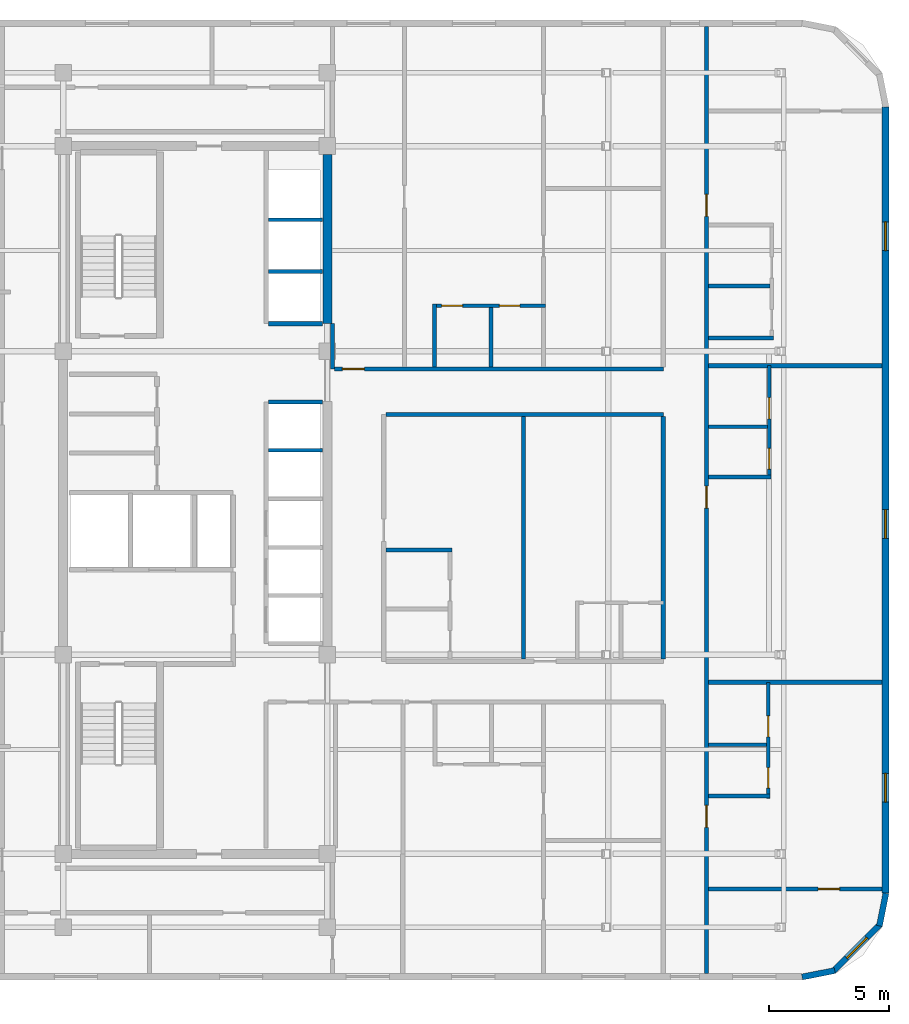
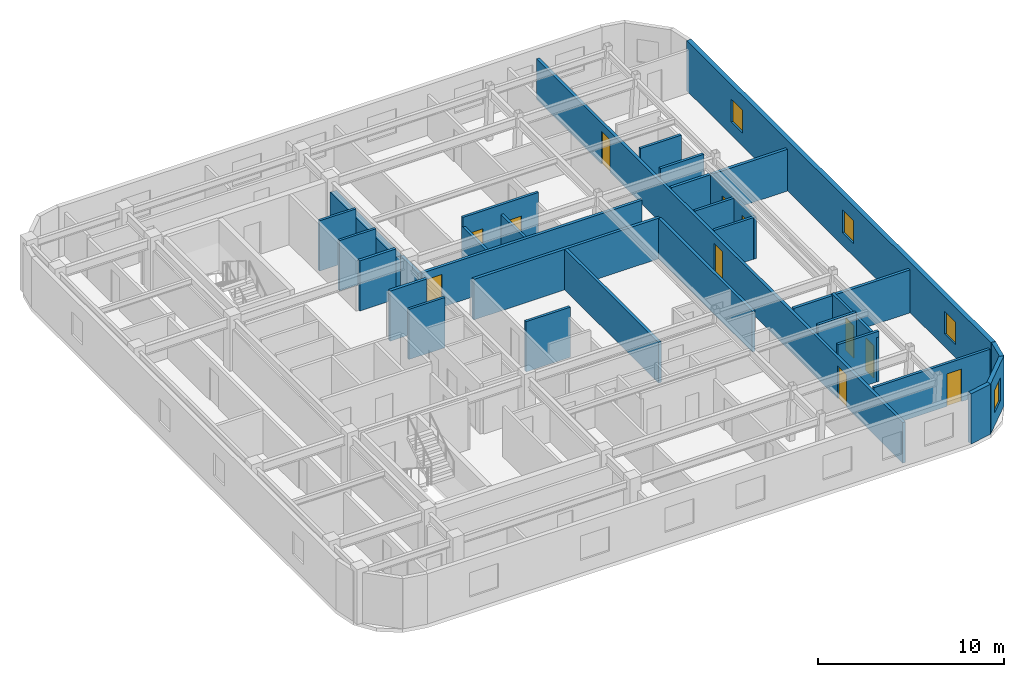
# One storey, part 5 of 8: 31 walls, 11 doors, 4 windows, 15 openings.
"""IFC4 building model written with IfcOpenShell, lengths in metres."""

from ifc_helpers import new_model, si_unit, direction, frame, frame_2d, origin, place, context, subcontext, project, spatial, rectangle, extrude, material, layer, layer_set, type_object, element, fill, save


model = new_model("IFC4")

# Units and contexts
model_context = context("Model", 3, precision=1e-05, world=origin(), true_north=direction((0.0, 1.0)))
body_context = subcontext(model_context, "Body", "Model", "MODEL_VIEW")
ifc_project = project(units=[si_unit("LENGTHUNIT", "METRE"), si_unit("AREAUNIT", "SQUARE_METRE"), si_unit("VOLUMEUNIT", "CUBIC_METRE"), si_unit("PLANEANGLEUNIT", "RADIAN"), si_unit("MASSUNIT", "GRAM", prefix="KILO")], contexts=[model_context])

# Site, building, storey
site_placement = place(None, origin())
site = spatial("IfcSite", under=ifc_project, at=site_placement, CompositionType="ELEMENT")
building_placement = place(site_placement, origin())
building = spatial("IfcBuilding", under=site, at=building_placement, Name="Ochreholt Gables", CompositionType="ELEMENT")
storey_placement = place(building_placement, frame((0.0, 0.0, 196.199951171875)))
storey = spatial("IfcBuildingStorey", under=building, at=storey_placement, Name="L51", CompositionType="ELEMENT", Elevation=196.199951171875)

# Wall
ifc_material_1 = material(Name="Concrete 50 MPa", Category="concrete")
ifc_layer_1 = layer(ifc_material_1, 0.3798828125, Name="Concrete 50 MPa")
ifc_layer_set_1 = layer_set([ifc_layer_1], Name="Concrete 50 MPa")
wall_type_1 = type_object("IfcWallType", Name="WALL-CSW-380", PredefinedType="SHEAR", material=ifc_layer_set_1)
wall_1_placement = place(storey_placement, frame((35.2099609375, 31.35009765625, 0.0), z_axis=(0.0, 0.0, 1.0), x_axis=(0.0, 1.0, 0.0)))
element("IfcWall", 1, at=wall_1_placement, inside=storey, type_object=wall_type_1, Name="L51 Core North-East Shear Wall", PredefinedType="SHEAR", context=body_context, shape_type="SweptSolid", body=[
    extrude(rectangle(XDim=7.0498046875, YDim=0.3798828125, at=frame_2d((3.52490234375, 0.0))), origin(), (0.0, 0.0, 1.0), 2.68798828125),
])

# Wall, openings, windows
ifc_material_2 = material(Name="Precast concrete 40 MPa", Category="concrete")
ifc_layer_2 = layer(ifc_material_2, 0.280029296875, Name="Precast concrete 40 MPa")
ifc_layer_set_2 = layer_set([ifc_layer_2], Name="Precast concrete 40 MPa")
wall_type_2 = type_object("IfcWallType", Name="WALL-EXT-280", PredefinedType="SOLIDWALL", material=ifc_layer_set_2)
wall_2_placement = place(storey_placement, frame((58.4599609375, 7.6201171875, 0.0), z_axis=(0.0, 0.0, 1.0), x_axis=(0.0, 1.0, 0.0)))
wall_2 = element("IfcWall", 2, at=wall_2_placement, inside=storey, type_object=wall_type_2, Name="L51 East Exterior Wall", PredefinedType="SOLIDWALL", context=body_context, shape_type="SweptSolid", body=[
    extrude(rectangle(XDim=32.759765625, YDim=0.280029296875, at=frame_2d((16.3798828125, 0.0))), origin(), (0.0, 0.0, 1.0), 3.300048828125),
])
opening_1_placement = place(wall_2_placement, frame((3.7900390625, 0.0, 0.85009765625)))
opening_1 = element("IfcOpeningElement", 3, at=opening_1_placement, cuts=wall_2, Name="Opening WN-3", PredefinedType="OPENING", context=body_context, shape_type="SweptSolid", body=[
    extrude(rectangle(XDim=1.199951171875, YDim=1.5, at=frame_2d((0.60009765625, 0.75))), frame((0.0, 0.14990234375, 0.0), z_axis=(0.0, -1.0, 0.0), x_axis=(1.0, 0.0, 0.0)), (0.0, 0.0, 1.0), 0.300048828125),
])
opening_2_placement = place(wall_2_placement, frame((14.780029296875, 0.0, 0.85009765625)))
opening_2 = element("IfcOpeningElement", 4, at=opening_2_placement, cuts=wall_2, Name="Opening WN-3", PredefinedType="OPENING", context=body_context, shape_type="SweptSolid", body=[
    extrude(rectangle(XDim=1.199951171875, YDim=1.5, at=frame_2d((0.60009765625, 0.75))), frame((0.0, 0.14990234375, 0.0), z_axis=(0.0, -1.0, 0.0), x_axis=(1.0, 0.0, 0.0)), (0.0, 0.0, 1.0), 0.300048828125),
])
opening_3_placement = place(wall_2_placement, frame((26.77001953125, 0.0, 0.85009765625)))
opening_3 = element("IfcOpeningElement", 5, at=opening_3_placement, cuts=wall_2, Name="Opening WN-3", PredefinedType="OPENING", context=body_context, shape_type="SweptSolid", body=[
    extrude(rectangle(XDim=1.199951171875, YDim=1.5, at=frame_2d((0.60009765625, 0.75))), frame((0.0, 0.14990234375, 0.0), z_axis=(0.0, -1.0, 0.0), x_axis=(1.0, 0.0, 0.0)), (0.0, 0.0, 1.0), 0.300048828125),
])
ifc_material_3 = material(Name="Triple-Glazed Thermally Broken Aluminium Window", Category="aluminium")
window_type = type_object("IfcWindowType", Name="WIN-RES-1200", PartitioningType="SINGLE_PANEL", PredefinedType="WINDOW", material=ifc_material_3)
window_1_placement = place(opening_1_placement, origin())
window_1 = element("IfcWindow", 6, at=window_1_placement, inside=storey, type_object=window_type, Name="L51 Window W-EXT-E-L51-1", OverallHeight=1.5, OverallWidth=1.199951171875, PartitioningType="SINGLE_PANEL", PredefinedType="WINDOW", context=body_context, shape_type="SweptSolid", body=[
    extrude(rectangle(XDim=1.199951171875, YDim=1.5, at=frame_2d((0.60009765625, 0.75))), frame((0.0, 0.030029296875, 0.0), z_axis=(0.0, -1.0, 0.0), x_axis=(1.0, 0.0, 0.0)), (0.0, 0.0, 1.0), 0.06005859375),
])
fill(opening_1, window_1)
window_2_placement = place(opening_2_placement, origin())
window_2 = element("IfcWindow", 7, at=window_2_placement, inside=storey, type_object=window_type, Name="L51 Window W-EXT-E-L51-2", OverallHeight=1.5, OverallWidth=1.199951171875, PartitioningType="SINGLE_PANEL", PredefinedType="WINDOW", context=body_context, shape_type="SweptSolid", body=[
    extrude(rectangle(XDim=1.199951171875, YDim=1.5, at=frame_2d((0.60009765625, 0.75))), frame((0.0, 0.030029296875, 0.0), z_axis=(0.0, -1.0, 0.0), x_axis=(1.0, 0.0, 0.0)), (0.0, 0.0, 1.0), 0.06005859375),
])
fill(opening_2, window_2)
window_3_placement = place(opening_3_placement, origin())
window_3 = element("IfcWindow", 8, at=window_3_placement, inside=storey, type_object=window_type, Name="L51 Window W-EXT-E-L51-3", OverallHeight=1.5, OverallWidth=1.199951171875, PartitioningType="SINGLE_PANEL", PredefinedType="WINDOW", context=body_context, shape_type="SweptSolid", body=[
    extrude(rectangle(XDim=1.199951171875, YDim=1.5, at=frame_2d((0.60009765625, 0.75))), frame((0.0, 0.030029296875, 0.0), z_axis=(0.0, -1.0, 0.0), x_axis=(1.0, 0.0, 0.0)), (0.0, 0.0, 1.0), 0.06005859375),
])
fill(opening_3, window_3)

# Wall
ifc_layer_3 = layer(ifc_material_2, 0.25, Name="Precast concrete 40 MPa")
ifc_layer_set_3 = layer_set([ifc_layer_3], Name="Precast concrete 40 MPa")
wall_type_3 = type_object("IfcWallType", Name="WALL-EXT-CNR", PredefinedType="SOLIDWALL", material=ifc_layer_set_3)
wall_3_placement = place(storey_placement, frame((54.9833984375, 4.124267578125, 0.0), z_axis=(0.0, 0.0, 1.0), x_axis=(0.980809899341, 0.19496651342, 0.0)))
element("IfcWall", 9, at=wall_3_placement, inside=storey, type_object=wall_type_3, Name="L51 Rounded Corner Wall SE-1", PredefinedType="SOLIDWALL", context=body_context, shape_type="SweptSolid", body=[
    extrude(rectangle(XDim=1.388671875, YDim=0.25, at=frame_2d((0.6943359375, 0.0))), origin(), (0.0, 0.0, 1.0), 3.300048828125),
])

# Wall, opening, window
wall_4_placement = place(storey_placement, frame((56.294921875, 4.367919921875, 0.0), z_axis=(0.0, 0.0, 1.0), x_axis=(0.707106781187, 0.707106781187, 0.0)))
wall_4 = element("IfcWall", 10, at=wall_4_placement, inside=storey, type_object=wall_type_3, Name="L51 Rounded Corner Wall SE-2", PredefinedType="SOLIDWALL", context=body_context, shape_type="SweptSolid", body=[
    extrude(rectangle(XDim=2.7392578125, YDim=0.25, at=frame_2d((1.36962890625, 0.0))), origin(), (0.0, 0.0, 1.0), 3.300048828125),
])
opening_4_placement = place(wall_4_placement, frame((0.769775390625, 0.0, 0.85009765625)))
opening_4 = element("IfcOpeningElement", 11, at=opening_4_placement, cuts=wall_4, Name="Opening WN-3", PredefinedType="OPENING", context=body_context, shape_type="SweptSolid", body=[
    extrude(rectangle(XDim=1.199951171875, YDim=1.5, at=frame_2d((0.60009765625, 0.75))), frame((0.0, 0.135009765625, 0.0), z_axis=(0.0, -1.0, 0.0), x_axis=(1.0, 0.0, 0.0)), (0.0, 0.0, 1.0), 0.27001953125),
])
window_4_placement = place(opening_4_placement, origin())
window_4 = element("IfcWindow", 12, at=window_4_placement, inside=storey, type_object=window_type, Name="L51 Corner Bedroom Window SE", OverallHeight=1.5, OverallWidth=1.199951171875, PartitioningType="SINGLE_PANEL", PredefinedType="WINDOW", context=body_context, shape_type="SweptSolid", body=[
    extrude(rectangle(XDim=1.199951171875, YDim=1.5, at=frame_2d((0.60009765625, 0.75))), frame((0.0, 0.030029296875, 0.0), z_axis=(0.0, -1.0, 0.0), x_axis=(1.0, 0.0, 0.0)), (0.0, 0.0, 1.0), 0.06005859375),
])
fill(opening_4, window_4)

# Walls
wall_5_placement = place(storey_placement, frame((58.205078125, 6.25439453125, 0.0), z_axis=(0.0, 0.0, 1.0), x_axis=(0.19496651342, 0.980809899341, 0.0)))
element("IfcWall", 13, at=wall_5_placement, inside=storey, type_object=wall_type_3, Name="L51 Rounded Corner Wall SE-3", PredefinedType="SOLIDWALL", context=body_context, shape_type="SweptSolid", body=[
    extrude(rectangle(XDim=1.388671875, YDim=0.25, at=frame_2d((0.6943359375, 0.0))), origin(), (0.0, 0.0, 1.0), 3.300048828125),
])
ifc_material_4 = material(Name="Fire-Rated Gypsum Acoustic Partition", Category="gypsum")
ifc_layer_4 = layer(ifc_material_4, 0.179931640625, Name="Fire-Rated Gypsum Acoustic Partition")
ifc_layer_set_4 = layer_set([ifc_layer_4], Name="Fire-Rated Gypsum Acoustic Partition")
wall_type_4 = type_object("IfcWallType", Name="WALL-INT-CR180", PredefinedType="STANDARD", material=ifc_layer_set_4)
wall_6_placement = place(storey_placement, frame((37.639892578125, 27.56005859375, 0.0), z_axis=(0.0, 0.0, 1.0), x_axis=(1.0, 0.0, 0.0)))
element("IfcWall", 14, at=wall_6_placement, inside=storey, type_object=wall_type_4, Name="L51 Interior Wall WI-C2SN1-L51", PredefinedType="STANDARD", context=body_context, shape_type="SweptSolid", body=[
    extrude(rectangle(XDim=11.56005859375, YDim=0.179931640625, at=frame_2d((5.780029296875, 0.0))), origin(), (0.0, 0.0, 1.0), 2.670166015625),
])
wall_7_placement = place(storey_placement, frame((35.419921875, 29.4599609375, 0.0), z_axis=(0.0, 0.0, 1.0), x_axis=(0.0, 1.0, 0.0)))
element("IfcWall", 15, at=wall_7_placement, inside=storey, type_object=wall_type_4, Name="L51 Interior Wall WI-C2NCL-L51", PredefinedType="STANDARD", context=body_context, shape_type="SweptSolid", body=[
    extrude(rectangle(XDim=1.89013671875, YDim=0.179931640625, at=frame_2d((0.945068359375, 0.0))), origin(), (0.0, 0.0, 1.0), 2.670166015625),
])

# Wall, opening, door
wall_8_placement = place(storey_placement, frame((35.510009765625, 29.4599609375, 0.0), z_axis=(0.0, 0.0, 1.0), x_axis=(1.0, 0.0, 0.0)))
wall_8 = element("IfcWall", 16, at=wall_8_placement, inside=storey, type_object=wall_type_4, Name="L51 Interior Wall WI-C2SN2-L51", PredefinedType="STANDARD", context=body_context, shape_type="SweptSolid", body=[
    extrude(rectangle(XDim=13.68994140625, YDim=0.179931640625, at=frame_2d((6.844970703125, 0.0))), origin(), (0.0, 0.0, 1.0), 2.670166015625),
])
opening_5_placement = place(wall_8_placement, frame((0.320068359375, 0.0, 0.0)))
opening_5 = element("IfcOpeningElement", 17, at=opening_5_placement, cuts=wall_8, Name="Opening D-UN1", PredefinedType="OPENING", context=body_context, shape_type="SweptSolid", body=[
    extrude(rectangle(XDim=0.919921875, YDim=2.14990234375, at=frame_2d((0.4599609375, 1.074951171875))), frame((0.0, 0.099853515625, 0.0), z_axis=(0.0, -1.0, 0.0), x_axis=(1.0, 0.0, 0.0)), (0.0, 0.0, 1.0), 0.199951171875),
])
ifc_material_5 = material(Name="Engineered Oak Timber", Category="wood")
door_type_1 = type_object("IfcDoorType", Name="DR-INT-UNT920", OperationType="NOTDEFINED", PredefinedType="DOOR", material=ifc_material_5)
door_1_placement = place(opening_5_placement, origin())
door_1 = element("IfcDoor", 18, at=door_1_placement, inside=storey, type_object=door_type_1, Name="L51 Door D-U-L51N1-ENT", OperationType="SINGLE_SWING_LEFT", OverallHeight=2.14990234375, OverallWidth=0.919921875, PredefinedType="DOOR", context=body_context, shape_type="SweptSolid", body=[
    extrude(rectangle(XDim=0.919921875, YDim=2.14990234375, at=frame_2d((0.4599609375, 1.074951171875))), frame((0.0, 0.02490234375, 0.0), z_axis=(0.0, -1.0, 0.0), x_axis=(1.0, 0.0, 0.0)), (0.0, 0.0, 1.0), 0.050048828125),
])
fill(opening_5, door_1)

# Wall, openings, doors
wall_9_placement = place(storey_placement, frame((51.0, 4.280029296875, 0.0), z_axis=(0.0, 0.0, 1.0), x_axis=(0.0, 1.0, 0.0)))
wall_9 = element("IfcWall", 19, at=wall_9_placement, inside=storey, type_object=wall_type_4, Name="L51 Interior Wall WI-C2FEG-L51", PredefinedType="STANDARD", context=body_context, shape_type="SweptSolid", body=[
    extrude(rectangle(XDim=39.43994140625, YDim=0.179931640625, at=frame_2d((19.719970703125, 0.0))), origin(), (0.0, 0.0, 1.0), 2.670166015625),
])
opening_6_placement = place(wall_9_placement, frame((6.080078125, 0.0, 0.0)))
opening_6 = element("IfcOpeningElement", 20, at=opening_6_placement, cuts=wall_9, Name="Opening D-UN1", PredefinedType="OPENING", context=body_context, shape_type="SweptSolid", body=[
    extrude(rectangle(XDim=0.919921875, YDim=2.14990234375, at=frame_2d((0.4599609375, 1.074951171875))), frame((0.0, 0.099853515625, 0.0), z_axis=(0.0, -1.0, 0.0), x_axis=(1.0, 0.0, 0.0)), (0.0, 0.0, 1.0), 0.199951171875),
])
opening_7_placement = place(wall_9_placement, frame((19.3798828125, 0.0, 0.0)))
opening_7 = element("IfcOpeningElement", 21, at=opening_7_placement, cuts=wall_9, Name="Opening D-UN1", PredefinedType="OPENING", context=body_context, shape_type="SweptSolid", body=[
    extrude(rectangle(XDim=0.919921875, YDim=2.14990234375, at=frame_2d((0.4599609375, 1.074951171875))), frame((0.0, 0.099853515625, 0.0), z_axis=(0.0, -1.0, 0.0), x_axis=(1.0, 0.0, 0.0)), (0.0, 0.0, 1.0), 0.199951171875),
])
opening_8_placement = place(wall_9_placement, frame((31.533935546875, 0.0, 0.0)))
opening_8 = element("IfcOpeningElement", 22, at=opening_8_placement, cuts=wall_9, Name="Opening D-UN1", PredefinedType="OPENING", context=body_context, shape_type="SweptSolid", body=[
    extrude(rectangle(XDim=0.919921875, YDim=2.14990234375, at=frame_2d((0.4599609375, 1.074951171875))), frame((0.0, 0.099853515625, 0.0), z_axis=(0.0, -1.0, 0.0), x_axis=(1.0, 0.0, 0.0)), (0.0, 0.0, 1.0), 0.199951171875),
])
door_2_placement = place(opening_6_placement, origin())
door_2 = element("IfcDoor", 23, at=door_2_placement, inside=storey, type_object=door_type_1, Name="L51 Door D-U-L51FE1-ENT", OperationType="SINGLE_SWING_RIGHT", OverallHeight=2.14990234375, OverallWidth=0.919921875, PredefinedType="DOOR", context=body_context, shape_type="SweptSolid", body=[
    extrude(rectangle(XDim=0.919921875, YDim=2.14990234375, at=frame_2d((0.4599609375, 1.074951171875))), frame((0.0, 0.02490234375, 0.0), z_axis=(0.0, -1.0, 0.0), x_axis=(1.0, 0.0, 0.0)), (0.0, 0.0, 1.0), 0.050048828125),
])
fill(opening_6, door_2)
door_3_placement = place(opening_7_placement, origin())
door_3 = element("IfcDoor", 24, at=door_3_placement, inside=storey, type_object=door_type_1, Name="L51 Door D-U-L51FE2-ENT", OperationType="SINGLE_SWING_LEFT", OverallHeight=2.14990234375, OverallWidth=0.919921875, PredefinedType="DOOR", context=body_context, shape_type="SweptSolid", body=[
    extrude(rectangle(XDim=0.919921875, YDim=2.14990234375, at=frame_2d((0.4599609375, 1.074951171875))), frame((0.0, 0.02490234375, 0.0), z_axis=(0.0, -1.0, 0.0), x_axis=(1.0, 0.0, 0.0)), (0.0, 0.0, 1.0), 0.050048828125),
])
fill(opening_7, door_3)
door_4_placement = place(opening_8_placement, origin())
door_4 = element("IfcDoor", 25, at=door_4_placement, inside=storey, type_object=door_type_1, Name="L51 Door D-U-L51FE3-ENT", OperationType="SINGLE_SWING_RIGHT", OverallHeight=2.14990234375, OverallWidth=0.919921875, PredefinedType="DOOR", context=body_context, shape_type="SweptSolid", body=[
    extrude(rectangle(XDim=0.919921875, YDim=2.14990234375, at=frame_2d((0.4599609375, 1.074951171875))), frame((0.0, 0.02490234375, 0.0), z_axis=(0.0, -1.0, 0.0), x_axis=(1.0, 0.0, 0.0)), (0.0, 0.0, 1.0), 0.050048828125),
])
fill(opening_8, door_4)

# Walls
wall_10_placement = place(storey_placement, frame((49.199951171875, 17.3701171875, 0.0), z_axis=(0.0, 0.0, 1.0), x_axis=(0.0, 1.0, 0.0)))
element("IfcWall", 26, at=wall_10_placement, inside=storey, type_object=wall_type_4, Name="L51 Interior Wall WI-C2FEGW2-L51", PredefinedType="STANDARD", context=body_context, shape_type="SweptSolid", body=[
    extrude(rectangle(XDim=10.099853515625, YDim=0.179931640625, at=frame_2d((5.0498046875, 0.0))), origin(), (0.0, 0.0, 1.0), 2.670166015625),
])
ifc_material_6 = material(Name="Double-Stud Acoustic Demising Wall", Category="gypsum")
ifc_layer_5 = layer(ifc_material_6, 0.179931640625, Name="Double-Stud Acoustic Demising Wall")
ifc_layer_set_5 = layer_set([ifc_layer_5], Name="Double-Stud Acoustic Demising Wall")
wall_type_5 = type_object("IfcWallType", Name="WALL-INT-DM180", PredefinedType="PARTITIONING", material=ifc_layer_set_5)
wall_11_placement = place(storey_placement, frame((43.375, 17.3701171875, 0.0), z_axis=(0.0, 0.0, 1.0), x_axis=(0.0, 1.0, 0.0)))
element("IfcWall", 27, at=wall_11_placement, inside=storey, type_object=wall_type_5, Name="L51 Interior Wall WI-C2UDM-L51", PredefinedType="PARTITIONING", context=body_context, shape_type="SweptSolid", body=[
    extrude(rectangle(XDim=10.099853515625, YDim=0.179931640625, at=frame_2d((5.0498046875, 0.0))), origin(), (0.0, 0.0, 1.0), 2.670166015625),
])
wall_12_placement = place(storey_placement, frame((51.090087890625, 16.39990234375, 0.0), z_axis=(0.0, 0.0, 1.0), x_axis=(1.0, 0.0, 0.0)))
element("IfcWall", 28, at=wall_12_placement, inside=storey, type_object=wall_type_5, Name="L51 Interior Wall WI-C2FED2-L51", PredefinedType="PARTITIONING", context=body_context, shape_type="SweptSolid", body=[
    extrude(rectangle(XDim=7.22998046875, YDim=0.179931640625, at=frame_2d((3.614990234375, 0.0))), origin(), (0.0, 0.0, 1.0), 2.819091796875),
])
wall_13_placement = place(storey_placement, frame((51.090087890625, 29.60009765625, 0.0), z_axis=(0.0, 0.0, 1.0), x_axis=(1.0, 0.0, 0.0)))
element("IfcWall", 29, at=wall_13_placement, inside=storey, type_object=wall_type_5, Name="L51 Interior Wall WI-C2FED3-L51", PredefinedType="PARTITIONING", context=body_context, shape_type="SweptSolid", body=[
    extrude(rectangle(XDim=7.22998046875, YDim=0.179931640625, at=frame_2d((3.614990234375, 0.0))), origin(), (0.0, 0.0, 1.0), 2.7431640625),
])

# Wall, openings, doors
ifc_material_7 = material(Name="Moisture-Resistant Plumbing Chase Wall", Category="gypsum")
ifc_layer_6 = layer(ifc_material_7, 0.159912109375, Name="Moisture-Resistant Plumbing Chase Wall")
ifc_layer_set_6 = layer_set([ifc_layer_6], Name="Moisture-Resistant Plumbing Chase Wall")
wall_type_6 = type_object("IfcWallType", Name="WALL-INT-PL160", PredefinedType="PLUMBINGWALL", material=ifc_layer_set_6)
wall_14_placement = place(storey_placement, frame((39.580078125, 32.094970703125, 0.0), z_axis=(0.0, 0.0, 1.0), x_axis=(1.0, 0.0, 0.0)))
wall_14 = element("IfcWall", 30, at=wall_14_placement, inside=storey, type_object=wall_type_6, Name="L51 Interior Wall WU-L51N1-WY", PredefinedType="PLUMBINGWALL", context=body_context, shape_type="SweptSolid", body=[
    extrude(rectangle(XDim=4.7099609375, YDim=0.159912109375, at=frame_2d((2.35498046875, 0.0))), origin(), (0.0, 0.0, 1.0), 3.300048828125),
])
opening_9_placement = place(wall_14_placement, frame((0.3798828125, 0.0, 0.0)))
opening_9 = element("IfcOpeningElement", 31, at=opening_9_placement, cuts=wall_14, Name="Opening D-GN2", PredefinedType="OPENING", context=body_context, shape_type="SweptSolid", body=[
    extrude(rectangle(XDim=0.8798828125, YDim=2.1201171875, at=frame_2d((0.43994140625, 1.06005859375))), frame((0.0, 0.08984375, 0.0), z_axis=(0.0, -1.0, 0.0), x_axis=(1.0, 0.0, 0.0)), (0.0, 0.0, 1.0), 0.179931640625),
])
opening_10_placement = place(wall_14_placement, frame((2.785888671875, 0.0, 0.0)))
opening_10 = element("IfcOpeningElement", 32, at=opening_10_placement, cuts=wall_14, Name="Opening D-BT1", PredefinedType="OPENING", context=body_context, shape_type="SweptSolid", body=[
    extrude(rectangle(XDim=0.860107421875, YDim=2.1201171875, at=frame_2d((0.43017578125, 1.06005859375))), frame((0.0, 0.08984375, 0.0), z_axis=(0.0, -1.0, 0.0), x_axis=(1.0, 0.0, 0.0)), (0.0, 0.0, 1.0), 0.179931640625),
])
door_type_2 = type_object("IfcDoorType", Name="DR-INT-BTH860", OperationType="NOTDEFINED", PredefinedType="DOOR", material=ifc_material_5)
door_5_placement = place(opening_10_placement, origin())
door_5 = element("IfcDoor", 33, at=door_5_placement, inside=storey, type_object=door_type_2, Name="L51 Door D-U-L51N1-BTH", OperationType="SINGLE_SWING_LEFT", OverallHeight=2.1201171875, OverallWidth=0.860107421875, PredefinedType="DOOR", context=body_context, shape_type="SweptSolid", body=[
    extrude(rectangle(XDim=0.860107421875, YDim=2.1201171875, at=frame_2d((0.43017578125, 1.06005859375))), frame((0.0, 0.02490234375, 0.0), z_axis=(0.0, -1.0, 0.0), x_axis=(1.0, 0.0, 0.0)), (0.0, 0.0, 1.0), 0.050048828125),
])
fill(opening_10, door_5)
door_type_3 = type_object("IfcDoorType", Name="DR-INT-GEN880", OperationType="NOTDEFINED", PredefinedType="DOOR", material=ifc_material_5)
door_6_placement = place(opening_9_placement, origin())
door_6 = element("IfcDoor", 34, at=door_6_placement, inside=storey, type_object=door_type_3, Name="L51 Door D-U-L51N1-KIT", OperationType="SINGLE_SWING_RIGHT", OverallHeight=2.1201171875, OverallWidth=0.8798828125, PredefinedType="DOOR", context=body_context, shape_type="SweptSolid", body=[
    extrude(rectangle(XDim=0.8798828125, YDim=2.1201171875, at=frame_2d((0.43994140625, 1.06005859375))), frame((0.0, 0.02490234375, 0.0), z_axis=(0.0, -1.0, 0.0), x_axis=(1.0, 0.0, 0.0)), (0.0, 0.0, 1.0), 0.050048828125),
])
fill(opening_9, door_6)

# Walls
wall_15_placement = place(storey_placement, frame((39.659912109375, 29.550048828125, 0.0), z_axis=(0.0, 0.0, 1.0), x_axis=(0.0, 1.0, 0.0)))
element("IfcWall", 35, at=wall_15_placement, inside=storey, type_object=wall_type_6, Name="L51 Interior Wall WU-L51N1-FY", PredefinedType="PLUMBINGWALL", context=body_context, shape_type="SweptSolid", body=[
    extrude(rectangle(XDim=2.625, YDim=0.159912109375, at=frame_2d((1.3125, 0.0))), origin(), (0.0, 0.0, 1.0), 2.670166015625),
])
wall_16_placement = place(storey_placement, frame((42.02587890625, 29.550048828125, 0.0), z_axis=(0.0, 0.0, 1.0), x_axis=(0.0, 1.0, 0.0)))
element("IfcWall", 36, at=wall_16_placement, inside=storey, type_object=wall_type_6, Name="L51 Interior Wall WU-L51N1-WK", PredefinedType="PLUMBINGWALL", context=body_context, shape_type="SweptSolid", body=[
    extrude(rectangle(XDim=2.46484375, YDim=0.159912109375, at=frame_2d((1.232421875, 0.0))), origin(), (0.0, 0.0, 1.0), 2.670166015625),
])
wall_17_placement = place(storey_placement, frame((37.639892578125, 21.919921875, 0.0), z_axis=(0.0, 0.0, 1.0), x_axis=(1.0, 0.0, 0.0)))
element("IfcWall", 37, at=wall_17_placement, inside=storey, type_object=wall_type_6, Name="L51 Interior Wall WU-L51M1-WYN", PredefinedType="PLUMBINGWALL", context=body_context, shape_type="SweptSolid", body=[
    extrude(rectangle(XDim=2.758056640625, YDim=0.159912109375, at=frame_2d((1.37890625, 0.0))), origin(), (0.0, 0.0, 1.0), 3.300048828125),
])
wall_18_placement = place(storey_placement, frame((51.090087890625, 11.659912109375, 0.0), z_axis=(0.0, 0.0, 1.0), x_axis=(1.0, 0.0, 0.0)))
element("IfcWall", 38, at=wall_18_placement, inside=storey, type_object=wall_type_6, Name="L51 Interior Wall WU-L51FE1-FYS", PredefinedType="PLUMBINGWALL", context=body_context, shape_type="SweptSolid", body=[
    extrude(rectangle(XDim=2.559814453125, YDim=0.159912109375, at=frame_2d((1.27978515625, 0.0))), origin(), (0.0, 0.0, 1.0), 3.300048828125),
])

# Wall, openings, doors
wall_19_placement = place(storey_placement, frame((53.570068359375, 11.570068359375, 0.0), z_axis=(0.0, 0.0, 1.0), x_axis=(0.0, 1.0, 0.0)))
wall_19 = element("IfcWall", 39, at=wall_19_placement, inside=storey, type_object=wall_type_6, Name="L51 Interior Wall WU-L51FE1-WX", PredefinedType="PLUMBINGWALL", context=body_context, shape_type="SweptSolid", body=[
    extrude(rectangle(XDim=4.829833984375, YDim=0.159912109375, at=frame_2d((2.4150390625, 0.0))), origin(), (0.0, 0.0, 1.0), 2.924072265625),
])
opening_11_placement = place(wall_19_placement, frame((0.419921875, 0.0, 0.0)))
opening_11 = element("IfcOpeningElement", 40, at=opening_11_placement, cuts=wall_19, Name="Opening D-BT1", PredefinedType="OPENING", context=body_context, shape_type="SweptSolid", body=[
    extrude(rectangle(XDim=0.860107421875, YDim=2.1201171875, at=frame_2d((0.43017578125, 1.06005859375))), frame((0.0, 0.08984375, 0.0), z_axis=(0.0, -1.0, 0.0), x_axis=(1.0, 0.0, 0.0)), (0.0, 0.0, 1.0), 0.179931640625),
])
opening_12_placement = place(wall_19_placement, frame((2.55908203125, 0.0, 0.0)))
opening_12 = element("IfcOpeningElement", 41, at=opening_12_placement, cuts=wall_19, Name="Opening D-GN2", PredefinedType="OPENING", context=body_context, shape_type="SweptSolid", body=[
    extrude(rectangle(XDim=0.8798828125, YDim=2.1201171875, at=frame_2d((0.43994140625, 1.06005859375))), frame((0.0, 0.08984375, 0.0), z_axis=(0.0, -1.0, 0.0), x_axis=(1.0, 0.0, 0.0)), (0.0, 0.0, 1.0), 0.179931640625),
])
door_7_placement = place(opening_11_placement, origin())
door_7 = element("IfcDoor", 42, at=door_7_placement, inside=storey, type_object=door_type_2, Name="L51 Door D-U-L51FE1-BTH", OperationType="SINGLE_SWING_LEFT", OverallHeight=2.1201171875, OverallWidth=0.860107421875, PredefinedType="DOOR", context=body_context, shape_type="SweptSolid", body=[
    extrude(rectangle(XDim=0.860107421875, YDim=2.1201171875, at=frame_2d((0.43017578125, 1.06005859375))), frame((0.0, 0.02490234375, 0.0), z_axis=(0.0, -1.0, 0.0), x_axis=(1.0, 0.0, 0.0)), (0.0, 0.0, 1.0), 0.050048828125),
])
fill(opening_11, door_7)
door_8_placement = place(opening_12_placement, origin())
door_8 = element("IfcDoor", 43, at=door_8_placement, inside=storey, type_object=door_type_3, Name="L51 Door D-U-L51FE1-KIT", OperationType="SINGLE_SWING_RIGHT", OverallHeight=2.1201171875, OverallWidth=0.8798828125, PredefinedType="DOOR", context=body_context, shape_type="SweptSolid", body=[
    extrude(rectangle(XDim=0.8798828125, YDim=2.1201171875, at=frame_2d((0.43994140625, 1.06005859375))), frame((0.0, 0.02490234375, 0.0), z_axis=(0.0, -1.0, 0.0), x_axis=(1.0, 0.0, 0.0)), (0.0, 0.0, 1.0), 0.050048828125),
])
fill(opening_12, door_8)

# Walls
wall_20_placement = place(storey_placement, frame((51.090087890625, 13.799072265625, 0.0), z_axis=(0.0, 0.0, 1.0), x_axis=(1.0, 0.0, 0.0)))
element("IfcWall", 44, at=wall_20_placement, inside=storey, type_object=wall_type_6, Name="L51 Interior Wall WU-L51FE1-WK", PredefinedType="PLUMBINGWALL", context=body_context, shape_type="SweptSolid", body=[
    extrude(rectangle(XDim=2.39990234375, YDim=0.159912109375, at=frame_2d((1.199951171875, 0.0))), origin(), (0.0, 0.0, 1.0), 3.300048828125),
])
wall_21_placement = place(storey_placement, frame((51.090087890625, 24.9599609375, 0.0), z_axis=(0.0, 0.0, 1.0), x_axis=(1.0, 0.0, 0.0)))
element("IfcWall", 45, at=wall_21_placement, inside=storey, type_object=wall_type_6, Name="L51 Interior Wall WU-L51FE2-WYS", PredefinedType="PLUMBINGWALL", context=body_context, shape_type="SweptSolid", body=[
    extrude(rectangle(XDim=2.60595703125, YDim=0.159912109375, at=frame_2d((1.302978515625, 0.0))), origin(), (0.0, 0.0, 1.0), 2.7431640625),
])

# Wall, openings, doors
wall_22_placement = place(storey_placement, frame((53.615966796875, 24.8701171875, 0.0), z_axis=(0.0, 0.0, 1.0), x_axis=(0.0, 1.0, 0.0)))
wall_22 = element("IfcWall", 46, at=wall_22_placement, inside=storey, type_object=wall_type_6, Name="L51 Interior Wall WU-L51FE2-WX", PredefinedType="PLUMBINGWALL", context=body_context, shape_type="SweptSolid", body=[
    extrude(rectangle(XDim=4.72998046875, YDim=0.159912109375, at=frame_2d((2.364990234375, 0.0))), origin(), (0.0, 0.0, 1.0), 2.7431640625),
])
opening_13_placement = place(wall_22_placement, frame((0.419921875, 0.0, 0.0)))
opening_13 = element("IfcOpeningElement", 47, at=opening_13_placement, cuts=wall_22, Name="Opening D-BT1", PredefinedType="OPENING", context=body_context, shape_type="SweptSolid", body=[
    extrude(rectangle(XDim=0.860107421875, YDim=2.1201171875, at=frame_2d((0.43017578125, 1.06005859375))), frame((0.0, 0.08984375, 0.0), z_axis=(0.0, -1.0, 0.0), x_axis=(1.0, 0.0, 0.0)), (0.0, 0.0, 1.0), 0.179931640625),
])
opening_14_placement = place(wall_22_placement, frame((2.512939453125, 0.0, 0.0)))
opening_14 = element("IfcOpeningElement", 48, at=opening_14_placement, cuts=wall_22, Name="Opening D-GN2", PredefinedType="OPENING", context=body_context, shape_type="SweptSolid", body=[
    extrude(rectangle(XDim=0.8798828125, YDim=2.1201171875, at=frame_2d((0.43994140625, 1.06005859375))), frame((0.0, 0.08984375, 0.0), z_axis=(0.0, -1.0, 0.0), x_axis=(1.0, 0.0, 0.0)), (0.0, 0.0, 1.0), 0.179931640625),
])
door_9_placement = place(opening_13_placement, origin())
door_9 = element("IfcDoor", 49, at=door_9_placement, inside=storey, type_object=door_type_2, Name="L51 Door D-U-L51FE2-BTH", OperationType="SINGLE_SWING_RIGHT", OverallHeight=2.1201171875, OverallWidth=0.860107421875, PredefinedType="DOOR", context=body_context, shape_type="SweptSolid", body=[
    extrude(rectangle(XDim=0.860107421875, YDim=2.1201171875, at=frame_2d((0.43017578125, 1.06005859375))), frame((0.0, 0.02490234375, 0.0), z_axis=(0.0, -1.0, 0.0), x_axis=(1.0, 0.0, 0.0)), (0.0, 0.0, 1.0), 0.050048828125),
])
fill(opening_13, door_9)
door_10_placement = place(opening_14_placement, origin())
door_10 = element("IfcDoor", 50, at=door_10_placement, inside=storey, type_object=door_type_3, Name="L51 Door D-U-L51FE2-KIT", OperationType="SINGLE_SWING_LEFT", OverallHeight=2.1201171875, OverallWidth=0.8798828125, PredefinedType="DOOR", context=body_context, shape_type="SweptSolid", body=[
    extrude(rectangle(XDim=0.8798828125, YDim=2.1201171875, at=frame_2d((0.43994140625, 1.06005859375))), frame((0.0, 0.02490234375, 0.0), z_axis=(0.0, -1.0, 0.0), x_axis=(1.0, 0.0, 0.0)), (0.0, 0.0, 1.0), 0.050048828125),
])
fill(opening_14, door_10)

# Walls
wall_23_placement = place(storey_placement, frame((51.090087890625, 27.052978515625, 0.0), z_axis=(0.0, 0.0, 1.0), x_axis=(1.0, 0.0, 0.0)))
element("IfcWall", 51, at=wall_23_placement, inside=storey, type_object=wall_type_6, Name="L51 Interior Wall WU-L51FE2-WM", PredefinedType="PLUMBINGWALL", context=body_context, shape_type="SweptSolid", body=[
    extrude(rectangle(XDim=2.44580078125, YDim=0.159912109375, at=frame_2d((1.222900390625, 0.0))), origin(), (0.0, 0.0, 1.0), 2.7431640625),
])
wall_24_placement = place(storey_placement, frame((51.090087890625, 30.746826171875, 0.0), z_axis=(0.0, 0.0, 1.0), x_axis=(1.0, 0.0, 0.0)))
element("IfcWall", 52, at=wall_24_placement, inside=storey, type_object=wall_type_6, Name="L51 Interior Wall WU-L51FE3-FYS", PredefinedType="PLUMBINGWALL", context=body_context, shape_type="SweptSolid", body=[
    extrude(rectangle(XDim=2.7119140625, YDim=0.159912109375, at=frame_2d((1.35595703125, 0.0))), origin(), (0.0, 0.0, 1.0), 3.300048828125),
])
wall_25_placement = place(storey_placement, frame((51.090087890625, 32.912109375, 0.0), z_axis=(0.0, 0.0, 1.0), x_axis=(1.0, 0.0, 0.0)))
element("IfcWall", 53, at=wall_25_placement, inside=storey, type_object=wall_type_6, Name="L51 Interior Wall WU-L51FE3-WK", PredefinedType="PLUMBINGWALL", context=body_context, shape_type="SweptSolid", body=[
    extrude(rectangle(XDim=2.552001953125, YDim=0.159912109375, at=frame_2d((1.27587890625, 0.0))), origin(), (0.0, 0.0, 1.0), 3.300048828125),
])

# Wall, opening, door
ifc_material_8 = material(Name="Gypsum Acoustic Stud Partition", Category="gypsum")
ifc_layer_7 = layer(ifc_material_8, 0.1650390625, Name="Gypsum Acoustic Stud Partition")
ifc_layer_set_7 = layer_set([ifc_layer_7], Name="Gypsum Acoustic Stud Partition")
wall_type_7 = type_object("IfcWallType", Name="WALL-INT-PT165", PredefinedType="PARTITIONING", material=ifc_layer_set_7)
wall_26_placement = place(storey_placement, frame((51.090087890625, 7.7900390625, 0.0), z_axis=(0.0, 0.0, 1.0), x_axis=(1.0, 0.0, 0.0)))
wall_26 = element("IfcWall", 54, at=wall_26_placement, inside=storey, type_object=wall_type_7, Name="L51 Interior Wall WU-L51FE1-MN", PredefinedType="PARTITIONING", context=body_context, shape_type="SweptSolid", body=[
    extrude(rectangle(XDim=7.22998046875, YDim=0.1650390625, at=frame_2d((3.614990234375, 0.0))), origin(), (0.0, 0.0, 1.0), 2.819091796875),
])
opening_15_placement = place(wall_26_placement, frame((4.56005859375, 0.0, 0.0)))
opening_15 = element("IfcOpeningElement", 55, at=opening_15_placement, cuts=wall_26, Name="Opening D-BD1", PredefinedType="OPENING", context=body_context, shape_type="SweptSolid", body=[
    extrude(rectangle(XDim=0.89990234375, YDim=2.139892578125, at=frame_2d((0.449951171875, 1.06982421875))), frame((0.0, 0.092529296875, 0.0), z_axis=(0.0, -1.0, 0.0), x_axis=(1.0, 0.0, 0.0)), (0.0, 0.0, 1.0), 0.18505859375),
])
door_type_4 = type_object("IfcDoorType", Name="DR-INT-BED900", OperationType="NOTDEFINED", PredefinedType="DOOR", material=ifc_material_5)
door_11_placement = place(opening_15_placement, origin())
door_11 = element("IfcDoor", 56, at=door_11_placement, inside=storey, type_object=door_type_4, Name="L51 Door D-U-L51FE1-BD1", OperationType="SINGLE_SWING_LEFT", OverallHeight=2.139892578125, OverallWidth=0.89990234375, PredefinedType="DOOR", context=body_context, shape_type="SweptSolid", body=[
    extrude(rectangle(XDim=0.89990234375, YDim=2.139892578125, at=frame_2d((0.449951171875, 1.06982421875))), frame((0.0, 0.02490234375, 0.0), z_axis=(0.0, -1.0, 0.0), x_axis=(1.0, 0.0, 0.0)), (0.0, 0.0, 1.0), 0.050048828125),
])
fill(opening_15, door_11)

# Walls
ifc_material_9 = material(Name="Gypsum Shaftliner and Steel Stud", Category="steel")
ifc_layer_8 = layer(ifc_material_9, 0.14990234375, Name="Gypsum Shaftliner and Steel Stud")
ifc_layer_set_8 = layer_set([ifc_layer_8], Name="Gypsum Shaftliner and Steel Stud")
wall_type_8 = type_object("IfcWallType", Name="WALL-INT-SH150", PredefinedType="STANDARD", material=ifc_layer_set_8)
for number, where, z_axis, x_axis, name in (
    (57, (32.739990234375, 26.070068359375, 0.0), (0.0, 0.0, 1.0), (1.0, 0.0, 0.0), "L51 Interior Wall WI-LFHE-DEX1-L51"),
    (58, (32.739990234375, 33.52001953125, 0.0), (0.0, 0.0, 1.0), (1.0, 0.0, 0.0), "L51 Interior Wall WI-LFM-D1-L51"),
    (59, (32.739990234375, 35.669921875, 0.0), (0.0, 0.0, 1.0), (1.0, 0.0, 0.0), "L51 Interior Wall WI-LFM-D2-L51"),
):
    element("IfcWall", number, at=place(storey_placement, frame(where, z_axis=z_axis, x_axis=x_axis)), inside=storey, type_object=wall_type_8, Name=name, PredefinedType="STANDARD", context=body_context, shape_type="SweptSolid", body=[
        extrude(rectangle(XDim=2.260009765625, YDim=0.14990234375, at=frame_2d((1.1298828125, 0.0))), origin(), (0.0, 0.0, 1.0), 3.300048828125),
    ])
ifc_layer_9 = layer(ifc_material_9, 0.179931640625, Name="Gypsum Shaftliner and Steel Stud")
ifc_layer_set_9 = layer_set([ifc_layer_9], Name="Gypsum Shaftliner and Steel Stud")
wall_type_9 = type_object("IfcWallType", Name="WALL-INT-SH180", PredefinedType="STANDARD", material=ifc_layer_set_9)
for number, where, z_axis, x_axis, name in (
    (60, (32.739990234375, 28.080078125, 0.0), (0.0, 0.0, 1.0), (1.0, 0.0, 0.0), "L51 Interior Wall WI-LFHE-N-L51"),
    (61, (32.739990234375, 31.35009765625, 0.0), (0.0, 0.0, 1.0), (1.0, 0.0, 0.0), "L51 Interior Wall WI-LFM-S-L51"),
):
    element("IfcWall", number, at=place(storey_placement, frame(where, z_axis=z_axis, x_axis=x_axis)), inside=storey, type_object=wall_type_9, Name=name, PredefinedType="STANDARD", context=body_context, shape_type="SweptSolid", body=[
        extrude(rectangle(XDim=2.260009765625, YDim=0.179931640625, at=frame_2d((1.1298828125, 0.0))), origin(), (0.0, 0.0, 1.0), 3.300048828125),
    ])

save(model, "model.ifc")
